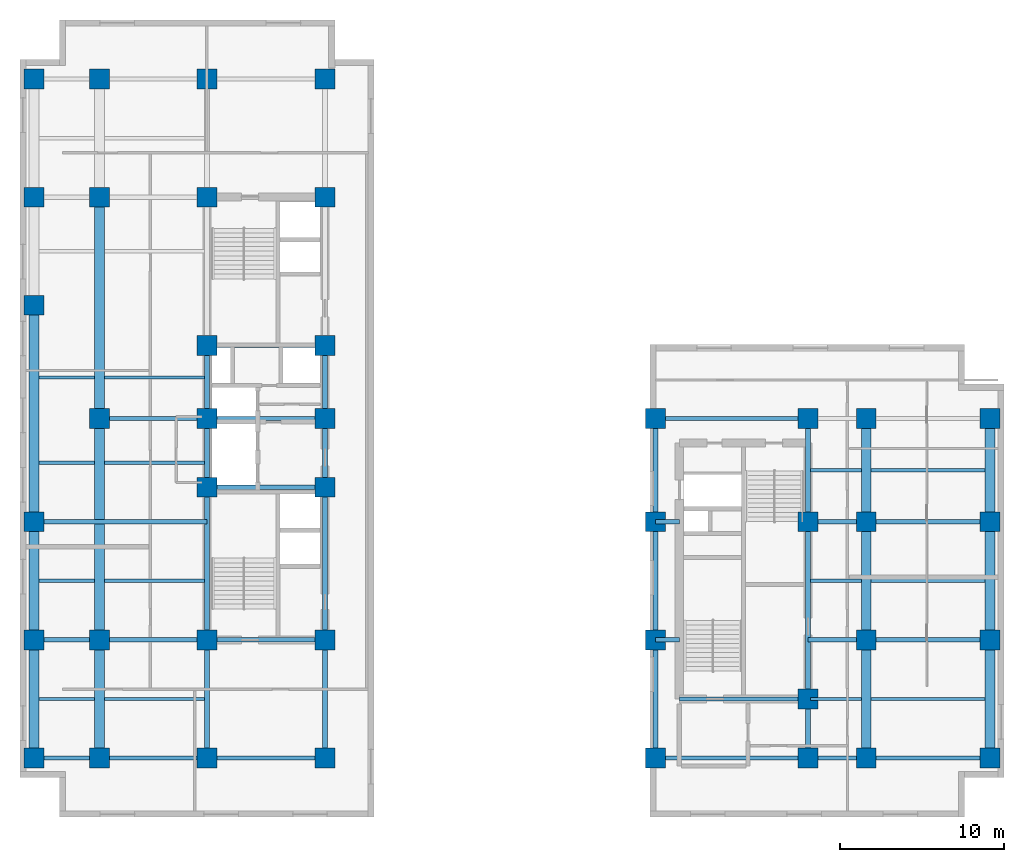
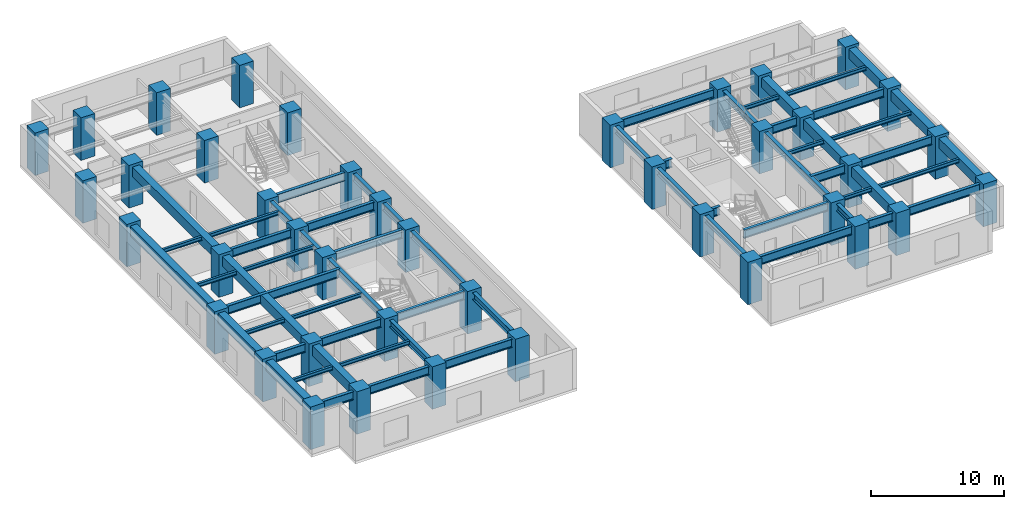
# One storey, part 1 of 8: 62 beams, 41 columns.
"""IFC4 building model written with IfcOpenShell, lengths in metres."""

from ifc_helpers import new_model, entity, si_unit, converted_unit, direction, frame, origin_with_axes, origin_2d_with_axis, place, context, subcontext, project, spatial, rectangle, i_section, extrude, material, material_profile, profile_set, type_object, element, save


model = new_model("IFC4")

# Units and contexts
model_context = context("Model", 3, precision=1e-05, world=origin_with_axes(), true_north=direction((0.0, 1.0)))
body_context = subcontext(model_context, "Body", "Model", "MODEL_VIEW")
ifc_project = project(units=[si_unit("LENGTHUNIT", "METRE"), si_unit("AREAUNIT", "SQUARE_METRE"), si_unit("VOLUMEUNIT", "CUBIC_METRE"), converted_unit("PLANEANGLEUNIT", "DEGREE", entity("IfcPlaneAngleMeasure", 0.017453292519943295), si_unit("PLANEANGLEUNIT", "RADIAN"), dimensions=[0, 0, 0, 0, 0, 0, 0]), si_unit("MASSUNIT", "GRAM", prefix="KILO"), si_unit("THERMODYNAMICTEMPERATUREUNIT", "KELVIN")], contexts=[model_context])

# Site, building, storey
site_placement = place(None, origin_with_axes())
site = spatial("IfcSite", under=ifc_project, at=site_placement, CompositionType="ELEMENT")
building_placement = place(site_placement, origin_with_axes())
building = spatial("IfcBuilding", under=site, at=building_placement, Name="Varnlund Millrace Tower", CompositionType="ELEMENT")
storey_placement = place(building_placement, frame((0.0, 0.0, 89.1), z_axis=(0.0, 0.0, 1.0), x_axis=(1.0, 0.0, 0.0)))
storey = spatial("IfcBuildingStorey", under=building, at=storey_placement, Name="L21", CompositionType="ELEMENT", Elevation=89.1)

# Columns
ifc_material_1 = material(Name="Concrete C80/95", Category="concrete")
ifc_material_profile_1 = material_profile(ifc_material_1, rectangle(XDim=1.2, YDim=1.2, at=origin_2d_with_axis()), Name="Concrete C80/95")
ifc_profile_set_1 = profile_set([ifc_material_profile_1], Name="Concrete C80/95")
column_type = type_object("IfcColumnType", Name="Type-Col-RC1200-C80", PredefinedType="COLUMN", material=ifc_profile_set_1)
for number, where, z_axis, x_axis, name in (
    (1, (11.4, 3.6, 0.0), (0.0, 0.0, 1.0), (1.0, 0.0, 0.0), "Type-Col-RC1200-C80"),
    (2, (11.4, 10.8, 0.0), (0.0, 0.0, 1.0), (1.0, 0.0, 0.0), "Type-Col-RC1200-C80"),
    (3, (11.4, 20.1, 0.0), (0.0, 0.0, 1.0), (1.0, 0.0, 0.0), "Type-Col-RC1200-C80"),
    (4, (11.4, 24.3, 0.0), (0.0, 0.0, 1.0), (1.0, 0.0, 0.0), "Type-Col-RC1200-C80"),
    (5, (11.4, 28.75, 0.0), (0.0, 0.0, 1.0), (1.0, 0.0, 0.0), "Type-Col-RC1200-C80"),
    (6, (11.4, 37.8, 0.0), (0.0, 0.0, 1.0), (1.0, 0.0, 0.0), "Type-Col-RC1200-C80"),
    (7, (11.4, 45.0, 0.0), (0.0, 0.0, 1.0), (1.0, 0.0, 0.0), "Type-Col-RC1200-C80"),
    (8, (18.6, 3.6, 0.0), (0.0, 0.0, 1.0), (1.0, 0.0, 0.0), "Type-Col-RC1200-C80"),
    (9, (18.6, 10.8, 0.0), (0.0, 0.0, 1.0), (1.0, 0.0, 0.0), "Type-Col-RC1200-C80"),
    (10, (18.6, 20.1, 0.0), (0.0, 0.0, 1.0), (1.0, 0.0, 0.0), "Type-Col-RC1200-C80"),
    (11, (18.6, 24.3, 0.0), (0.0, 0.0, 1.0), (1.0, 0.0, 0.0), "Type-Col-RC1200-C80"),
    (12, (18.6, 28.75, 0.0), (0.0, 0.0, 1.0), (1.0, 0.0, 0.0), "Type-Col-RC1200-C80"),
    (13, (18.6, 37.8, 0.0), (0.0, 0.0, 1.0), (1.0, 0.0, 0.0), "Type-Col-RC1200-C80"),
    (14, (18.6, 45.0, 0.0), (0.0, 0.0, 1.0), (1.0, 0.0, 0.0), "Type-Col-RC1200-C80"),
    (15, (4.85, 3.6, 0.0), (0.0, 0.0, 1.0), (1.0, 0.0, 0.0), "Type-Col-RC1200-C80"),
    (16, (4.85, 10.8, 0.0), (0.0, 0.0, 1.0), (1.0, 0.0, 0.0), "Type-Col-RC1200-C80"),
    (17, (4.85, 24.3, 0.0), (0.0, 0.0, 1.0), (1.0, 0.0, 0.0), "Type-Col-RC1200-C80"),
    (18, (4.85, 37.8, 0.0), (0.0, 0.0, 1.0), (1.0, 0.0, 0.0), "Type-Col-RC1200-C80"),
    (19, (4.85, 45.0, 0.0), (0.0, 0.0, 1.0), (1.0, 0.0, 0.0), "Type-Col-RC1200-C80"),
    (20, (0.85, 3.6, 0.0), (0.0, 0.0, 1.0), (1.0, 0.0, 0.0), "Type-Col-RC1200-C80"),
    (21, (0.85, 10.8, 0.0), (0.0, 0.0, 1.0), (1.0, 0.0, 0.0), "Type-Col-RC1200-C80"),
    (22, (0.85, 18.0, 0.0), (0.0, 0.0, 1.0), (1.0, 0.0, 0.0), "Type-Col-RC1200-C80"),
    (23, (0.85, 31.2, 0.0), (0.0, 0.0, 1.0), (1.0, 0.0, 0.0), "Type-Col-RC1200-C80"),
    (24, (0.85, 37.8, 0.0), (0.0, 0.0, 1.0), (1.0, 0.0, 0.0), "Type-Col-RC1200-C80"),
    (25, (0.85, 45.0, 0.0), (0.0, 0.0, 1.0), (1.0, 0.0, 0.0), "Type-Col-RC1200-C80"),
    (26, (38.75, 3.6, 0.0), (0.0, 0.0, 1.0), (1.0, 0.0, 0.0), "Type-Col-RC1200-C80"),
    (27, (38.75, 10.8, 0.0), (0.0, 0.0, 1.0), (1.0, 0.0, 0.0), "Type-Col-RC1200-C80"),
    (28, (38.75, 18.0, 0.0), (0.0, 0.0, 1.0), (1.0, 0.0, 0.0), "Type-Col-RC1200-C80"),
    (29, (38.75, 24.3, 0.0), (0.0, 0.0, 1.0), (1.0, 0.0, 0.0), "Type-Col-RC1200-C80"),
    (30, (48.05, 3.6, 0.0), (0.0, 0.0, 1.0), (1.0, 0.0, 0.0), "Type-Col-RC1200-C80"),
    (31, (48.05, 7.2, 0.0), (0.0, 0.0, 1.0), (1.0, 0.0, 0.0), "Type-Col-RC1200-C80"),
    (32, (48.05, 18.0, 0.0), (0.0, 0.0, 1.0), (1.0, 0.0, 0.0), "Type-Col-RC1200-C80"),
    (33, (48.05, 24.3, 0.0), (0.0, 0.0, 1.0), (1.0, 0.0, 0.0), "Type-Col-RC1200-C80"),
    (34, (51.6, 3.6, 0.0), (0.0, 0.0, 1.0), (1.0, 0.0, 0.0), "Type-Col-RC1200-C80"),
    (35, (51.6, 10.8, 0.0), (0.0, 0.0, 1.0), (1.0, 0.0, 0.0), "Type-Col-RC1200-C80"),
    (36, (51.6, 18.0, 0.0), (0.0, 0.0, 1.0), (1.0, 0.0, 0.0), "Type-Col-RC1200-C80"),
    (37, (51.6, 24.3, 0.0), (0.0, 0.0, 1.0), (1.0, 0.0, 0.0), "Type-Col-RC1200-C80"),
    (38, (59.15, 3.6, 0.0), (0.0, 0.0, 1.0), (1.0, 0.0, 0.0), "Type-Col-RC1200-C80"),
    (39, (59.15, 10.8, 0.0), (0.0, 0.0, 1.0), (1.0, 0.0, 0.0), "Type-Col-RC1200-C80"),
    (40, (59.15, 18.0, 0.0), (0.0, 0.0, 1.0), (1.0, 0.0, 0.0), "Type-Col-RC1200-C80"),
    (41, (59.15, 24.3, 0.0), (0.0, 0.0, 1.0), (1.0, 0.0, 0.0), "Type-Col-RC1200-C80"),
):
    element("IfcColumn", number, at=place(storey_placement, frame(where, z_axis=z_axis, x_axis=x_axis)), inside=storey, type_object=column_type, Name=name, PredefinedType="COLUMN", context=body_context, shape_type="SweptSolid", body=[
        extrude(rectangle(XDim=1.2, YDim=1.2, at=origin_2d_with_axis()), origin_with_axes(), (0.0, 0.0, 1.0), 3.9),
    ])

# Beams
ifc_material_2 = material(Name="Steel ASTM A992 Grade 50", Category="steel")
ifc_material_profile_2 = material_profile(ifc_material_2, i_section(OverallWidth=0.328, OverallDepth=0.628, WebThickness=0.0165, FlangeThickness=0.0277, FilletRadius=0.018, at=origin_2d_with_axis()), Name="Steel ASTM A992 Grade 50")
ifc_profile_set_2 = profile_set([ifc_material_profile_2], Name="Steel ASTM A992 Grade 50")
beam_type_1 = type_object("IfcBeamType", Name="Type-Girder-W24X146", PredefinedType="USERDEFINED", material=ifc_profile_set_2)
beam_1_placement = place(storey_placement, frame((11.4, 3.6, 3.346), z_axis=(0.0, 1.0, 0.0), x_axis=(-1.0, 0.0, 0.0)))
element("IfcBeam", 42, at=beam_1_placement, inside=storey, type_object=beam_type_1, Name="Type-Girder-W24X146", ObjectType="GIRDER", PredefinedType="USERDEFINED", context=body_context, shape_type="SweptSolid", body=[
    extrude(i_section(OverallWidth=0.328, OverallDepth=0.628, WebThickness=0.0165, FlangeThickness=0.0277, FilletRadius=0.018, at=origin_2d_with_axis()), origin_with_axes(), (0.0, 0.0, 1.0), 7.2),
])
beam_2_placement = place(storey_placement, frame((11.4, 10.8, 3.346), z_axis=(0.0, 1.0, 0.0), x_axis=(-1.0, 0.0, 0.0)))
element("IfcBeam", 43, at=beam_2_placement, inside=storey, type_object=beam_type_1, Name="Type-Girder-W24X146", ObjectType="GIRDER", PredefinedType="USERDEFINED", context=body_context, shape_type="SweptSolid", body=[
    extrude(i_section(OverallWidth=0.328, OverallDepth=0.628, WebThickness=0.0165, FlangeThickness=0.0277, FilletRadius=0.018, at=origin_2d_with_axis()), origin_with_axes(), (0.0, 0.0, 1.0), 9.3),
])
beam_3_placement = place(storey_placement, frame((11.4, 20.1, 3.346), z_axis=(0.0, 1.0, 0.0), x_axis=(-1.0, 0.0, 0.0)))
element("IfcBeam", 44, at=beam_3_placement, inside=storey, type_object=beam_type_1, Name="Type-Girder-W24X146", ObjectType="GIRDER", PredefinedType="USERDEFINED", context=body_context, shape_type="SweptSolid", body=[
    extrude(i_section(OverallWidth=0.328, OverallDepth=0.628, WebThickness=0.0165, FlangeThickness=0.0277, FilletRadius=0.018, at=origin_2d_with_axis()), origin_with_axes(), (0.0, 0.0, 1.0), 4.2),
])
beam_4_placement = place(storey_placement, frame((11.4, 24.3, 3.346), z_axis=(0.0, 1.0, 0.0), x_axis=(-1.0, 0.0, 0.0)))
element("IfcBeam", 45, at=beam_4_placement, inside=storey, type_object=beam_type_1, Name="Type-Girder-W24X146", ObjectType="GIRDER", PredefinedType="USERDEFINED", context=body_context, shape_type="SweptSolid", body=[
    extrude(i_section(OverallWidth=0.328, OverallDepth=0.628, WebThickness=0.0165, FlangeThickness=0.0277, FilletRadius=0.018, at=origin_2d_with_axis()), origin_with_axes(), (0.0, 0.0, 1.0), 4.45),
])
beam_5_placement = place(storey_placement, frame((18.6, 3.6, 3.346), z_axis=(0.0, 1.0, 0.0), x_axis=(-1.0, 0.0, 0.0)))
element("IfcBeam", 46, at=beam_5_placement, inside=storey, type_object=beam_type_1, Name="Type-Girder-W24X146", ObjectType="GIRDER", PredefinedType="USERDEFINED", context=body_context, shape_type="SweptSolid", body=[
    extrude(i_section(OverallWidth=0.328, OverallDepth=0.628, WebThickness=0.0165, FlangeThickness=0.0277, FilletRadius=0.018, at=origin_2d_with_axis()), origin_with_axes(), (0.0, 0.0, 1.0), 7.2),
])
beam_6_placement = place(storey_placement, frame((18.6, 10.8, 3.346), z_axis=(0.0, 1.0, 0.0), x_axis=(-1.0, 0.0, 0.0)))
element("IfcBeam", 47, at=beam_6_placement, inside=storey, type_object=beam_type_1, Name="Type-Girder-W24X146", ObjectType="GIRDER", PredefinedType="USERDEFINED", context=body_context, shape_type="SweptSolid", body=[
    extrude(i_section(OverallWidth=0.328, OverallDepth=0.628, WebThickness=0.0165, FlangeThickness=0.0277, FilletRadius=0.018, at=origin_2d_with_axis()), origin_with_axes(), (0.0, 0.0, 1.0), 9.3),
])
beam_7_placement = place(storey_placement, frame((18.6, 20.1, 3.346), z_axis=(0.0, 1.0, 0.0), x_axis=(-1.0, 0.0, 0.0)))
element("IfcBeam", 48, at=beam_7_placement, inside=storey, type_object=beam_type_1, Name="Type-Girder-W24X146", ObjectType="GIRDER", PredefinedType="USERDEFINED", context=body_context, shape_type="SweptSolid", body=[
    extrude(i_section(OverallWidth=0.328, OverallDepth=0.628, WebThickness=0.0165, FlangeThickness=0.0277, FilletRadius=0.018, at=origin_2d_with_axis()), origin_with_axes(), (0.0, 0.0, 1.0), 4.2),
])
beam_8_placement = place(storey_placement, frame((18.6, 24.3, 3.346), z_axis=(0.0, 1.0, 0.0), x_axis=(-1.0, 0.0, 0.0)))
element("IfcBeam", 49, at=beam_8_placement, inside=storey, type_object=beam_type_1, Name="Type-Girder-W24X146", ObjectType="GIRDER", PredefinedType="USERDEFINED", context=body_context, shape_type="SweptSolid", body=[
    extrude(i_section(OverallWidth=0.328, OverallDepth=0.628, WebThickness=0.0165, FlangeThickness=0.0277, FilletRadius=0.018, at=origin_2d_with_axis()), origin_with_axes(), (0.0, 0.0, 1.0), 4.45),
])
for number, where, z_axis, x_axis, name in (
    (50, (38.75, 3.6, 3.346), (0.0, 1.0, 0.0), (-1.0, 0.0, 0.0), "Type-Girder-W24X146"),
    (51, (38.75, 10.8, 3.346), (0.0, 1.0, 0.0), (-1.0, 0.0, 0.0), "Type-Girder-W24X146"),
):
    element("IfcBeam", number, at=place(storey_placement, frame(where, z_axis=z_axis, x_axis=x_axis)), inside=storey, type_object=beam_type_1, Name=name, ObjectType="GIRDER", PredefinedType="USERDEFINED", context=body_context, shape_type="SweptSolid", body=[
        extrude(i_section(OverallWidth=0.328, OverallDepth=0.628, WebThickness=0.0165, FlangeThickness=0.0277, FilletRadius=0.018, at=origin_2d_with_axis()), origin_with_axes(), (0.0, 0.0, 1.0), 7.2),
    ])
beam_9_placement = place(storey_placement, frame((38.75, 18.0, 3.346), z_axis=(0.0, 1.0, 0.0), x_axis=(-1.0, 0.0, 0.0)))
element("IfcBeam", 52, at=beam_9_placement, inside=storey, type_object=beam_type_1, Name="Type-Girder-W24X146", ObjectType="GIRDER", PredefinedType="USERDEFINED", context=body_context, shape_type="SweptSolid", body=[
    extrude(i_section(OverallWidth=0.328, OverallDepth=0.628, WebThickness=0.0165, FlangeThickness=0.0277, FilletRadius=0.018, at=origin_2d_with_axis()), origin_with_axes(), (0.0, 0.0, 1.0), 6.3),
])
beam_10_placement = place(storey_placement, frame((48.05, 3.6, 3.346), z_axis=(0.0, 1.0, 0.0), x_axis=(-1.0, 0.0, 0.0)))
element("IfcBeam", 53, at=beam_10_placement, inside=storey, type_object=beam_type_1, Name="Type-Girder-W24X146", ObjectType="GIRDER", PredefinedType="USERDEFINED", context=body_context, shape_type="SweptSolid", body=[
    extrude(i_section(OverallWidth=0.328, OverallDepth=0.628, WebThickness=0.0165, FlangeThickness=0.0277, FilletRadius=0.018, at=origin_2d_with_axis()), origin_with_axes(), (0.0, 0.0, 1.0), 3.6),
])
beam_11_placement = place(storey_placement, frame((48.05, 7.2, 3.346), z_axis=(0.0, 1.0, 0.0), x_axis=(-1.0, 0.0, 0.0)))
element("IfcBeam", 54, at=beam_11_placement, inside=storey, type_object=beam_type_1, Name="Type-Girder-W24X146", ObjectType="GIRDER", PredefinedType="USERDEFINED", context=body_context, shape_type="SweptSolid", body=[
    extrude(i_section(OverallWidth=0.328, OverallDepth=0.628, WebThickness=0.0165, FlangeThickness=0.0277, FilletRadius=0.018, at=origin_2d_with_axis()), origin_with_axes(), (0.0, 0.0, 1.0), 10.8),
])
beam_12_placement = place(storey_placement, frame((48.05, 18.0, 3.346), z_axis=(0.0, 1.0, 0.0), x_axis=(-1.0, 0.0, 0.0)))
element("IfcBeam", 55, at=beam_12_placement, inside=storey, type_object=beam_type_1, Name="Type-Girder-W24X146", ObjectType="GIRDER", PredefinedType="USERDEFINED", context=body_context, shape_type="SweptSolid", body=[
    extrude(i_section(OverallWidth=0.328, OverallDepth=0.628, WebThickness=0.0165, FlangeThickness=0.0277, FilletRadius=0.018, at=origin_2d_with_axis()), origin_with_axes(), (0.0, 0.0, 1.0), 6.3),
])
ifc_material_profile_3 = material_profile(ifc_material_2, i_section(OverallWidth=0.266, OverallDepth=0.779, WebThickness=0.0165, FlangeThickness=0.03, FilletRadius=0.02, at=origin_2d_with_axis()), Name="Steel ASTM A992 Grade 50")
ifc_profile_set_3 = profile_set([ifc_material_profile_3], Name="Steel ASTM A992 Grade 50")
beam_type_2 = type_object("IfcBeamType", Name="Type-Girder-W30X148", PredefinedType="USERDEFINED", material=ifc_profile_set_3)
beam_13_placement = place(storey_placement, frame((0.85, 3.6, 3.2705), z_axis=(1.0, 0.0, 0.0), x_axis=(0.0, 1.0, 0.0)))
element("IfcBeam", 56, at=beam_13_placement, inside=storey, type_object=beam_type_2, Name="Type-Girder-W30X148", ObjectType="GIRDER", PredefinedType="USERDEFINED", context=body_context, shape_type="SweptSolid", body=[
    extrude(i_section(OverallWidth=0.266, OverallDepth=0.779, WebThickness=0.0165, FlangeThickness=0.03, FilletRadius=0.02, at=origin_2d_with_axis()), origin_with_axes(), (0.0, 0.0, 1.0), 4.0),
])
beam_14_placement = place(storey_placement, frame((4.85, 3.6, 3.2705), z_axis=(1.0, 0.0, 0.0), x_axis=(0.0, 1.0, 0.0)))
element("IfcBeam", 57, at=beam_14_placement, inside=storey, type_object=beam_type_2, Name="Type-Girder-W30X148", ObjectType="GIRDER", PredefinedType="USERDEFINED", context=body_context, shape_type="SweptSolid", body=[
    extrude(i_section(OverallWidth=0.266, OverallDepth=0.779, WebThickness=0.0165, FlangeThickness=0.03, FilletRadius=0.02, at=origin_2d_with_axis()), origin_with_axes(), (0.0, 0.0, 1.0), 6.55),
])
beam_15_placement = place(storey_placement, frame((11.4, 3.6, 3.2705), z_axis=(1.0, 0.0, 0.0), x_axis=(0.0, 1.0, 0.0)))
element("IfcBeam", 58, at=beam_15_placement, inside=storey, type_object=beam_type_2, Name="Type-Girder-W30X148", ObjectType="GIRDER", PredefinedType="USERDEFINED", context=body_context, shape_type="SweptSolid", body=[
    extrude(i_section(OverallWidth=0.266, OverallDepth=0.779, WebThickness=0.0165, FlangeThickness=0.03, FilletRadius=0.02, at=origin_2d_with_axis()), origin_with_axes(), (0.0, 0.0, 1.0), 7.2),
])
beam_16_placement = place(storey_placement, frame((38.75, 3.6, 3.2705), z_axis=(1.0, 0.0, 0.0), x_axis=(0.0, 1.0, 0.0)))
element("IfcBeam", 59, at=beam_16_placement, inside=storey, type_object=beam_type_2, Name="Type-Girder-W30X148", ObjectType="GIRDER", PredefinedType="USERDEFINED", context=body_context, shape_type="SweptSolid", body=[
    extrude(i_section(OverallWidth=0.266, OverallDepth=0.779, WebThickness=0.0165, FlangeThickness=0.03, FilletRadius=0.02, at=origin_2d_with_axis()), origin_with_axes(), (0.0, 0.0, 1.0), 9.3),
])
beam_17_placement = place(storey_placement, frame((48.05, 3.6, 3.2705), z_axis=(1.0, 0.0, 0.0), x_axis=(0.0, 1.0, 0.0)))
element("IfcBeam", 60, at=beam_17_placement, inside=storey, type_object=beam_type_2, Name="Type-Girder-W30X148", ObjectType="GIRDER", PredefinedType="USERDEFINED", context=body_context, shape_type="SweptSolid", body=[
    extrude(i_section(OverallWidth=0.266, OverallDepth=0.779, WebThickness=0.0165, FlangeThickness=0.03, FilletRadius=0.02, at=origin_2d_with_axis()), origin_with_axes(), (0.0, 0.0, 1.0), 3.55),
])
beam_18_placement = place(storey_placement, frame((51.6, 3.6, 3.2705), z_axis=(1.0, 0.0, 0.0), x_axis=(0.0, 1.0, 0.0)))
element("IfcBeam", 61, at=beam_18_placement, inside=storey, type_object=beam_type_2, Name="Type-Girder-W30X148", ObjectType="GIRDER", PredefinedType="USERDEFINED", context=body_context, shape_type="SweptSolid", body=[
    extrude(i_section(OverallWidth=0.266, OverallDepth=0.779, WebThickness=0.0165, FlangeThickness=0.03, FilletRadius=0.02, at=origin_2d_with_axis()), origin_with_axes(), (0.0, 0.0, 1.0), 7.55),
])
beam_19_placement = place(storey_placement, frame((40.2, 7.2, 3.2705), z_axis=(1.0, 0.0, 0.0), x_axis=(0.0, 1.0, 0.0)))
element("IfcBeam", 62, at=beam_19_placement, inside=storey, type_object=beam_type_2, Name="Type-Girder-W30X148", ObjectType="GIRDER", PredefinedType="USERDEFINED", context=body_context, shape_type="SweptSolid", body=[
    extrude(i_section(OverallWidth=0.266, OverallDepth=0.779, WebThickness=0.0165, FlangeThickness=0.03, FilletRadius=0.02, at=origin_2d_with_axis()), origin_with_axes(), (0.0, 0.0, 1.0), 7.85),
])
beam_20_placement = place(storey_placement, frame((0.85, 10.8, 3.2705), z_axis=(1.0, 0.0, 0.0), x_axis=(0.0, 1.0, 0.0)))
element("IfcBeam", 63, at=beam_20_placement, inside=storey, type_object=beam_type_2, Name="Type-Girder-W30X148", ObjectType="GIRDER", PredefinedType="USERDEFINED", context=body_context, shape_type="SweptSolid", body=[
    extrude(i_section(OverallWidth=0.266, OverallDepth=0.779, WebThickness=0.0165, FlangeThickness=0.03, FilletRadius=0.02, at=origin_2d_with_axis()), origin_with_axes(), (0.0, 0.0, 1.0), 4.0),
])
beam_21_placement = place(storey_placement, frame((4.85, 10.8, 3.2705), z_axis=(1.0, 0.0, 0.0), x_axis=(0.0, 1.0, 0.0)))
element("IfcBeam", 64, at=beam_21_placement, inside=storey, type_object=beam_type_2, Name="Type-Girder-W30X148", ObjectType="GIRDER", PredefinedType="USERDEFINED", context=body_context, shape_type="SweptSolid", body=[
    extrude(i_section(OverallWidth=0.266, OverallDepth=0.779, WebThickness=0.0165, FlangeThickness=0.03, FilletRadius=0.02, at=origin_2d_with_axis()), origin_with_axes(), (0.0, 0.0, 1.0), 6.55),
])
beam_22_placement = place(storey_placement, frame((11.4, 10.8, 3.2705), z_axis=(1.0, 0.0, 0.0), x_axis=(0.0, 1.0, 0.0)))
element("IfcBeam", 65, at=beam_22_placement, inside=storey, type_object=beam_type_2, Name="Type-Girder-W30X148", ObjectType="GIRDER", PredefinedType="USERDEFINED", context=body_context, shape_type="SweptSolid", body=[
    extrude(i_section(OverallWidth=0.266, OverallDepth=0.779, WebThickness=0.0165, FlangeThickness=0.03, FilletRadius=0.02, at=origin_2d_with_axis()), origin_with_axes(), (0.0, 0.0, 1.0), 7.2),
])
beam_23_placement = place(storey_placement, frame((38.75, 10.8, 3.2705), z_axis=(1.0, 0.0, 0.0), x_axis=(0.0, 1.0, 0.0)))
element("IfcBeam", 66, at=beam_23_placement, inside=storey, type_object=beam_type_2, Name="Type-Girder-W30X148", ObjectType="GIRDER", PredefinedType="USERDEFINED", context=body_context, shape_type="SweptSolid", body=[
    extrude(i_section(OverallWidth=0.266, OverallDepth=0.779, WebThickness=0.0165, FlangeThickness=0.03, FilletRadius=0.02, at=origin_2d_with_axis()), origin_with_axes(), (0.0, 0.0, 1.0), 1.45),
])
beam_24_placement = place(storey_placement, frame((48.05, 10.8, 3.2705), z_axis=(1.0, 0.0, 0.0), x_axis=(0.0, 1.0, 0.0)))
element("IfcBeam", 67, at=beam_24_placement, inside=storey, type_object=beam_type_2, Name="Type-Girder-W30X148", ObjectType="GIRDER", PredefinedType="USERDEFINED", context=body_context, shape_type="SweptSolid", body=[
    extrude(i_section(OverallWidth=0.266, OverallDepth=0.779, WebThickness=0.0165, FlangeThickness=0.03, FilletRadius=0.02, at=origin_2d_with_axis()), origin_with_axes(), (0.0, 0.0, 1.0), 3.55),
])
beam_25_placement = place(storey_placement, frame((51.6, 10.8, 3.2705), z_axis=(1.0, 0.0, 0.0), x_axis=(0.0, 1.0, 0.0)))
element("IfcBeam", 68, at=beam_25_placement, inside=storey, type_object=beam_type_2, Name="Type-Girder-W30X148", ObjectType="GIRDER", PredefinedType="USERDEFINED", context=body_context, shape_type="SweptSolid", body=[
    extrude(i_section(OverallWidth=0.266, OverallDepth=0.779, WebThickness=0.0165, FlangeThickness=0.03, FilletRadius=0.02, at=origin_2d_with_axis()), origin_with_axes(), (0.0, 0.0, 1.0), 7.55),
])
beam_26_placement = place(storey_placement, frame((0.85, 18.0, 3.2705), z_axis=(1.0, 0.0, 0.0), x_axis=(0.0, 1.0, 0.0)))
element("IfcBeam", 69, at=beam_26_placement, inside=storey, type_object=beam_type_2, Name="Type-Girder-W30X148", ObjectType="GIRDER", PredefinedType="USERDEFINED", context=body_context, shape_type="SweptSolid", body=[
    extrude(i_section(OverallWidth=0.266, OverallDepth=0.779, WebThickness=0.0165, FlangeThickness=0.03, FilletRadius=0.02, at=origin_2d_with_axis()), origin_with_axes(), (0.0, 0.0, 1.0), 10.55),
])
beam_27_placement = place(storey_placement, frame((38.75, 18.0, 3.2705), z_axis=(1.0, 0.0, 0.0), x_axis=(0.0, 1.0, 0.0)))
element("IfcBeam", 70, at=beam_27_placement, inside=storey, type_object=beam_type_2, Name="Type-Girder-W30X148", ObjectType="GIRDER", PredefinedType="USERDEFINED", context=body_context, shape_type="SweptSolid", body=[
    extrude(i_section(OverallWidth=0.266, OverallDepth=0.779, WebThickness=0.0165, FlangeThickness=0.03, FilletRadius=0.02, at=origin_2d_with_axis()), origin_with_axes(), (0.0, 0.0, 1.0), 1.45),
])
beam_28_placement = place(storey_placement, frame((48.05, 18.0, 3.2705), z_axis=(1.0, 0.0, 0.0), x_axis=(0.0, 1.0, 0.0)))
element("IfcBeam", 71, at=beam_28_placement, inside=storey, type_object=beam_type_2, Name="Type-Girder-W30X148", ObjectType="GIRDER", PredefinedType="USERDEFINED", context=body_context, shape_type="SweptSolid", body=[
    extrude(i_section(OverallWidth=0.266, OverallDepth=0.779, WebThickness=0.0165, FlangeThickness=0.03, FilletRadius=0.02, at=origin_2d_with_axis()), origin_with_axes(), (0.0, 0.0, 1.0), 3.55),
])
beam_29_placement = place(storey_placement, frame((51.6, 18.0, 3.2705), z_axis=(1.0, 0.0, 0.0), x_axis=(0.0, 1.0, 0.0)))
element("IfcBeam", 72, at=beam_29_placement, inside=storey, type_object=beam_type_2, Name="Type-Girder-W30X148", ObjectType="GIRDER", PredefinedType="USERDEFINED", context=body_context, shape_type="SweptSolid", body=[
    extrude(i_section(OverallWidth=0.266, OverallDepth=0.779, WebThickness=0.0165, FlangeThickness=0.03, FilletRadius=0.02, at=origin_2d_with_axis()), origin_with_axes(), (0.0, 0.0, 1.0), 7.55),
])
beam_30_placement = place(storey_placement, frame((11.4, 20.1, 3.2705), z_axis=(1.0, 0.0, 0.0), x_axis=(0.0, 1.0, 0.0)))
element("IfcBeam", 73, at=beam_30_placement, inside=storey, type_object=beam_type_2, Name="Type-Girder-W30X148", ObjectType="GIRDER", PredefinedType="USERDEFINED", context=body_context, shape_type="SweptSolid", body=[
    extrude(i_section(OverallWidth=0.266, OverallDepth=0.779, WebThickness=0.0165, FlangeThickness=0.03, FilletRadius=0.02, at=origin_2d_with_axis()), origin_with_axes(), (0.0, 0.0, 1.0), 7.2),
])
beam_31_placement = place(storey_placement, frame((4.85, 24.3, 3.2705), z_axis=(1.0, 0.0, 0.0), x_axis=(0.0, 1.0, 0.0)))
element("IfcBeam", 74, at=beam_31_placement, inside=storey, type_object=beam_type_2, Name="Type-Girder-W30X148", ObjectType="GIRDER", PredefinedType="USERDEFINED", context=body_context, shape_type="SweptSolid", body=[
    extrude(i_section(OverallWidth=0.266, OverallDepth=0.779, WebThickness=0.0165, FlangeThickness=0.03, FilletRadius=0.02, at=origin_2d_with_axis()), origin_with_axes(), (0.0, 0.0, 1.0), 6.55),
])
beam_32_placement = place(storey_placement, frame((11.4, 24.3, 3.2705), z_axis=(1.0, 0.0, 0.0), x_axis=(0.0, 1.0, 0.0)))
element("IfcBeam", 75, at=beam_32_placement, inside=storey, type_object=beam_type_2, Name="Type-Girder-W30X148", ObjectType="GIRDER", PredefinedType="USERDEFINED", context=body_context, shape_type="SweptSolid", body=[
    extrude(i_section(OverallWidth=0.266, OverallDepth=0.779, WebThickness=0.0165, FlangeThickness=0.03, FilletRadius=0.02, at=origin_2d_with_axis()), origin_with_axes(), (0.0, 0.0, 1.0), 7.2),
])
beam_33_placement = place(storey_placement, frame((38.75, 24.3, 3.2705), z_axis=(1.0, 0.0, 0.0), x_axis=(0.0, 1.0, 0.0)))
element("IfcBeam", 76, at=beam_33_placement, inside=storey, type_object=beam_type_2, Name="Type-Girder-W30X148", ObjectType="GIRDER", PredefinedType="USERDEFINED", context=body_context, shape_type="SweptSolid", body=[
    extrude(i_section(OverallWidth=0.266, OverallDepth=0.779, WebThickness=0.0165, FlangeThickness=0.03, FilletRadius=0.02, at=origin_2d_with_axis()), origin_with_axes(), (0.0, 0.0, 1.0), 9.3),
])
beam_34_placement = place(storey_placement, frame((11.4, 28.75, 3.2705), z_axis=(1.0, 0.0, 0.0), x_axis=(0.0, 1.0, 0.0)))
element("IfcBeam", 77, at=beam_34_placement, inside=storey, type_object=beam_type_2, Name="Type-Girder-W30X148", ObjectType="GIRDER", PredefinedType="USERDEFINED", context=body_context, shape_type="SweptSolid", body=[
    extrude(i_section(OverallWidth=0.266, OverallDepth=0.779, WebThickness=0.0165, FlangeThickness=0.03, FilletRadius=0.02, at=origin_2d_with_axis()), origin_with_axes(), (0.0, 0.0, 1.0), 7.2),
])
ifc_material_profile_4 = material_profile(ifc_material_2, i_section(OverallWidth=0.204, OverallDepth=0.35, WebThickness=0.0086, FlangeThickness=0.0151, FilletRadius=0.013, at=origin_2d_with_axis()), Name="Steel ASTM A992 Grade 50")
ifc_profile_set_4 = profile_set([ifc_material_profile_4], Name="Steel ASTM A992 Grade 50")
beam_type_3 = type_object("IfcBeamType", Name="Type-Joist-W14X48", PredefinedType="JOIST", material=ifc_profile_set_4)
for number, where, z_axis, x_axis, name in (
    (78, (1.15, 7.2, 3.485), (1.0, 0.0, 0.0), (0.0, 1.0, 0.0), "Type-Joist-W14X48"),
    (79, (1.15, 14.4, 3.485), (1.0, 0.0, 0.0), (0.0, 1.0, 0.0), "Type-Joist-W14X48"),
    (80, (1.15, 21.6, 3.485), (1.0, 0.0, 0.0), (0.0, 1.0, 0.0), "Type-Joist-W14X48"),
    (81, (1.15, 26.8, 3.485), (1.0, 0.0, 0.0), (0.0, 1.0, 0.0), "Type-Joist-W14X48"),
):
    element("IfcBeam", number, at=place(storey_placement, frame(where, z_axis=z_axis, x_axis=x_axis)), inside=storey, type_object=beam_type_3, Name=name, PredefinedType="JOIST", context=body_context, shape_type="SweptSolid", body=[
        extrude(i_section(OverallWidth=0.204, OverallDepth=0.35, WebThickness=0.0086, FlangeThickness=0.0151, FilletRadius=0.013, at=origin_2d_with_axis()), origin_with_axes(), (0.0, 0.0, 1.0), 3.4),
    ])
for number, where, z_axis, x_axis, name in (
    (82, (5.15, 7.2, 3.485), (1.0, 0.0, 0.0), (0.0, 1.0, 0.0), "Type-Joist-W14X48"),
    (83, (5.15, 14.4, 3.485), (1.0, 0.0, 0.0), (0.0, 1.0, 0.0), "Type-Joist-W14X48"),
    (84, (5.15, 21.6, 3.485), (1.0, 0.0, 0.0), (0.0, 1.0, 0.0), "Type-Joist-W14X48"),
    (85, (5.15, 26.8, 3.485), (1.0, 0.0, 0.0), (0.0, 1.0, 0.0), "Type-Joist-W14X48"),
):
    element("IfcBeam", number, at=place(storey_placement, frame(where, z_axis=z_axis, x_axis=x_axis)), inside=storey, type_object=beam_type_3, Name=name, PredefinedType="JOIST", context=body_context, shape_type="SweptSolid", body=[
        extrude(i_section(OverallWidth=0.204, OverallDepth=0.35, WebThickness=0.0086, FlangeThickness=0.0151, FilletRadius=0.013, at=origin_2d_with_axis()), origin_with_axes(), (0.0, 0.0, 1.0), 6.086),
    ])
for number, where, z_axis, x_axis, name in (
    (86, (48.214, 7.2, 3.485), (1.0, 0.0, 0.0), (0.0, 1.0, 0.0), "Type-Joist-W14X48"),
    (87, (48.214, 14.4, 3.485), (1.0, 0.0, 0.0), (0.0, 1.0, 0.0), "Type-Joist-W14X48"),
    (88, (48.214, 21.15, 3.485), (1.0, 0.0, 0.0), (0.0, 1.0, 0.0), "Type-Joist-W14X48"),
):
    element("IfcBeam", number, at=place(storey_placement, frame(where, z_axis=z_axis, x_axis=x_axis)), inside=storey, type_object=beam_type_3, Name=name, PredefinedType="JOIST", context=body_context, shape_type="SweptSolid", body=[
        extrude(i_section(OverallWidth=0.204, OverallDepth=0.35, WebThickness=0.0086, FlangeThickness=0.0151, FilletRadius=0.013, at=origin_2d_with_axis()), origin_with_axes(), (0.0, 0.0, 1.0), 3.086),
    ])
for number, where, z_axis, x_axis, name in (
    (89, (51.9, 7.2, 3.485), (1.0, 0.0, 0.0), (0.0, 1.0, 0.0), "Type-Joist-W14X48"),
    (90, (51.9, 14.4, 3.485), (1.0, 0.0, 0.0), (0.0, 1.0, 0.0), "Type-Joist-W14X48"),
    (91, (51.9, 21.15, 3.485), (1.0, 0.0, 0.0), (0.0, 1.0, 0.0), "Type-Joist-W14X48"),
):
    element("IfcBeam", number, at=place(storey_placement, frame(where, z_axis=z_axis, x_axis=x_axis)), inside=storey, type_object=beam_type_3, Name=name, PredefinedType="JOIST", context=body_context, shape_type="SweptSolid", body=[
        extrude(i_section(OverallWidth=0.204, OverallDepth=0.35, WebThickness=0.0086, FlangeThickness=0.0151, FilletRadius=0.013, at=origin_2d_with_axis()), origin_with_axes(), (0.0, 0.0, 1.0), 6.95),
    ])
ifc_material_3 = material(Name="Concrete C70/85", Category="concrete")
ifc_material_profile_5 = material_profile(ifc_material_3, rectangle(XDim=0.6, YDim=0.9, at=origin_2d_with_axis()), Name="Concrete C70/85")
ifc_profile_set_5 = profile_set([ifc_material_profile_5], Name="Concrete C70/85")
beam_type_4 = type_object("IfcBeamType", Name="Type-Spandrel-RC600X900", PredefinedType="SPANDREL", material=ifc_profile_set_5)
for number, where, z_axis, x_axis, name in (
    (92, (0.85, 3.6, 3.21), (0.0, 1.0, 0.0), (-1.0, 0.0, 0.0), "Type-Spandrel-RC600X900"),
    (93, (0.85, 10.8, 3.21), (0.0, 1.0, 0.0), (-1.0, 0.0, 0.0), "Type-Spandrel-RC600X900"),
):
    element("IfcBeam", number, at=place(storey_placement, frame(where, z_axis=z_axis, x_axis=x_axis)), inside=storey, type_object=beam_type_4, Name=name, PredefinedType="SPANDREL", context=body_context, shape_type="SweptSolid", body=[
        extrude(rectangle(XDim=0.6, YDim=0.9, at=origin_2d_with_axis()), origin_with_axes(), (0.0, 0.0, 1.0), 7.2),
    ])
beam_35_placement = place(storey_placement, frame((0.85, 18.0, 3.21), z_axis=(0.0, 1.0, 0.0), x_axis=(-1.0, 0.0, 0.0)))
element("IfcBeam", 94, at=beam_35_placement, inside=storey, type_object=beam_type_4, Name="Type-Spandrel-RC600X900", PredefinedType="SPANDREL", context=body_context, shape_type="SweptSolid", body=[
    extrude(rectangle(XDim=0.6, YDim=0.9, at=origin_2d_with_axis()), origin_with_axes(), (0.0, 0.0, 1.0), 13.2),
])
beam_36_placement = place(storey_placement, frame((4.85, 3.6, 3.21), z_axis=(0.0, 1.0, 0.0), x_axis=(-1.0, 0.0, 0.0)))
element("IfcBeam", 95, at=beam_36_placement, inside=storey, type_object=beam_type_4, Name="Type-Spandrel-RC600X900", PredefinedType="SPANDREL", context=body_context, shape_type="SweptSolid", body=[
    extrude(rectangle(XDim=0.6, YDim=0.9, at=origin_2d_with_axis()), origin_with_axes(), (0.0, 0.0, 1.0), 7.2),
])
for number, where, z_axis, x_axis, name in (
    (96, (4.85, 10.8, 3.21), (0.0, 1.0, 0.0), (-1.0, 0.0, 0.0), "Type-Spandrel-RC600X900"),
    (97, (4.85, 24.3, 3.21), (0.0, 1.0, 0.0), (-1.0, 0.0, 0.0), "Type-Spandrel-RC600X900"),
):
    element("IfcBeam", number, at=place(storey_placement, frame(where, z_axis=z_axis, x_axis=x_axis)), inside=storey, type_object=beam_type_4, Name=name, PredefinedType="SPANDREL", context=body_context, shape_type="SweptSolid", body=[
        extrude(rectangle(XDim=0.6, YDim=0.9, at=origin_2d_with_axis()), origin_with_axes(), (0.0, 0.0, 1.0), 13.5),
    ])
for number, where, z_axis, x_axis, name in (
    (98, (51.6, 3.6, 3.21), (0.0, 1.0, 0.0), (-1.0, 0.0, 0.0), "Type-Spandrel-RC600X900"),
    (99, (51.6, 10.8, 3.21), (0.0, 1.0, 0.0), (-1.0, 0.0, 0.0), "Type-Spandrel-RC600X900"),
):
    element("IfcBeam", number, at=place(storey_placement, frame(where, z_axis=z_axis, x_axis=x_axis)), inside=storey, type_object=beam_type_4, Name=name, PredefinedType="SPANDREL", context=body_context, shape_type="SweptSolid", body=[
        extrude(rectangle(XDim=0.6, YDim=0.9, at=origin_2d_with_axis()), origin_with_axes(), (0.0, 0.0, 1.0), 7.2),
    ])
beam_37_placement = place(storey_placement, frame((51.6, 18.0, 3.21), z_axis=(0.0, 1.0, 0.0), x_axis=(-1.0, 0.0, 0.0)))
element("IfcBeam", 100, at=beam_37_placement, inside=storey, type_object=beam_type_4, Name="Type-Spandrel-RC600X900", PredefinedType="SPANDREL", context=body_context, shape_type="SweptSolid", body=[
    extrude(rectangle(XDim=0.6, YDim=0.9, at=origin_2d_with_axis()), origin_with_axes(), (0.0, 0.0, 1.0), 6.3),
])
for number, where, z_axis, x_axis, name in (
    (101, (59.15, 3.6, 3.21), (0.0, 1.0, 0.0), (-1.0, 0.0, 0.0), "Type-Spandrel-RC600X900"),
    (102, (59.15, 10.8, 3.21), (0.0, 1.0, 0.0), (-1.0, 0.0, 0.0), "Type-Spandrel-RC600X900"),
):
    element("IfcBeam", number, at=place(storey_placement, frame(where, z_axis=z_axis, x_axis=x_axis)), inside=storey, type_object=beam_type_4, Name=name, PredefinedType="SPANDREL", context=body_context, shape_type="SweptSolid", body=[
        extrude(rectangle(XDim=0.6, YDim=0.9, at=origin_2d_with_axis()), origin_with_axes(), (0.0, 0.0, 1.0), 7.2),
    ])
beam_38_placement = place(storey_placement, frame((59.15, 18.0, 3.21), z_axis=(0.0, 1.0, 0.0), x_axis=(-1.0, 0.0, 0.0)))
element("IfcBeam", 103, at=beam_38_placement, inside=storey, type_object=beam_type_4, Name="Type-Spandrel-RC600X900", PredefinedType="SPANDREL", context=body_context, shape_type="SweptSolid", body=[
    extrude(rectangle(XDim=0.6, YDim=0.9, at=origin_2d_with_axis()), origin_with_axes(), (0.0, 0.0, 1.0), 6.3),
])

save(model, "model.ifc")
